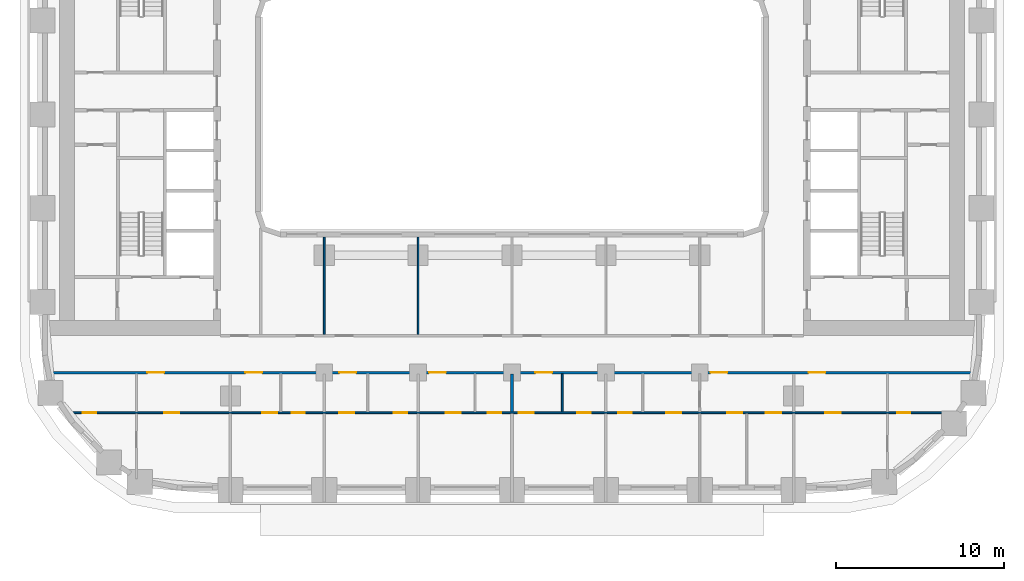
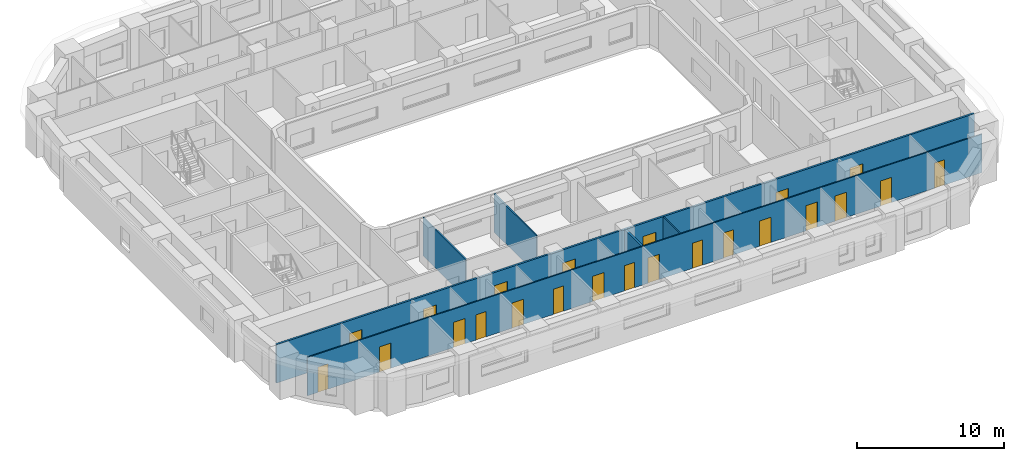
# One storey, part 3 of 20: 23 doors, 6 walls, 23 openings.
"""IFC4 building model written with IfcOpenShell, lengths in metres."""

from ifc_helpers import new_model, si_unit, direction, frame, frame_2d, origin, place, context, subcontext, project, spatial, rectangle, extrude, material, layer, layer_set, type_object, element, fill, save


model = new_model("IFC4")

# Units and contexts
model_context = context("Model", 3, precision=1e-05, world=origin(), true_north=direction((0.0, 1.0)))
body_context = subcontext(model_context, "Body", "Model", "MODEL_VIEW")
ifc_project = project(units=[si_unit("LENGTHUNIT", "METRE"), si_unit("AREAUNIT", "SQUARE_METRE"), si_unit("VOLUMEUNIT", "CUBIC_METRE"), si_unit("PLANEANGLEUNIT", "RADIAN"), si_unit("MASSUNIT", "GRAM", prefix="KILO")], contexts=[model_context])

# Site, building, storey
site_placement = place(None, origin())
site = spatial("IfcSite", under=ifc_project, at=site_placement, CompositionType="ELEMENT")
building_placement = place(site_placement, origin())
building = spatial("IfcBuilding", under=site, at=building_placement, Name="Kiln Ring Residences", CompositionType="ELEMENT")
storey_placement = place(building_placement, frame((0.0, 0.0, 37.5)))
storey = spatial("IfcBuildingStorey", under=building, at=storey_placement, Name="L08", CompositionType="ELEMENT", Elevation=37.5)

# Wall, openings, doors
ifc_material_1 = material(Name="Gypsum board on steel studs", Category="steel")
ifc_layer_1 = layer(ifc_material_1, 0.10009765625)
ifc_layer_set_1 = layer_set([ifc_layer_1], Name="PARTITION-100")
wall_type_1 = type_object("IfcWallType", Name="PARTITION-100", PredefinedType="PARTITIONING", material=ifc_layer_set_1)
wall_1_placement = place(storey_placement, frame((-26.39404296875, -17.800048828125, 0.0), z_axis=(0.0, 0.0, 1.0), x_axis=(1.0, 0.0, 0.0)))
wall_1 = element("IfcWall", 1, at=wall_1_placement, inside=storey, type_object=wall_type_1, Name="Partition 000", PredefinedType="PARTITIONING", context=body_context, shape_type="SweptSolid", body=[
    extrude(rectangle(XDim=53.126220703125, YDim=0.10009765625, at=frame_2d((26.56298828125, 0.0))), origin(), (0.0, 0.0, 1.0), 3.199951171875),
])
opening_1_placement = place(wall_1_placement, frame((0.7939453125, 0.0, 0.0)))
opening_1 = element("IfcOpeningElement", 2, at=opening_1_placement, cuts=wall_1, Name="Opening L08-D044", PredefinedType="OPENING", context=body_context, shape_type="SweptSolid", body=[
    extrude(rectangle(XDim=0.800048828125, YDim=2.10009765625, at=frame_2d((0.39990234375, 1.050048828125))), frame((0.0, 0.06005859375, 0.0), z_axis=(0.0, -1.0, 0.0), x_axis=(1.0, 0.0, 0.0)), (0.0, 0.0, 1.0), 0.1201171875),
])
opening_2_placement = place(wall_1_placement, frame((5.64404296875, 0.0, 0.0)))
opening_2 = element("IfcOpeningElement", 3, at=opening_2_placement, cuts=wall_1, Name="Opening L08-D045", PredefinedType="OPENING", context=body_context, shape_type="SweptSolid", body=[
    extrude(rectangle(XDim=0.89990234375, YDim=2.10009765625, at=frame_2d((0.449951171875, 1.050048828125))), frame((0.0, 0.06005859375, 0.0), z_axis=(0.0, -1.0, 0.0), x_axis=(1.0, 0.0, 0.0)), (0.0, 0.0, 1.0), 0.1201171875),
])
opening_3_placement = place(wall_1_placement, frame((13.243896484375, 0.0, 0.0)))
opening_3 = element("IfcOpeningElement", 4, at=opening_3_placement, cuts=wall_1, Name="Opening L08-D048", PredefinedType="OPENING", context=body_context, shape_type="SweptSolid", body=[
    extrude(rectangle(XDim=0.800048828125, YDim=2.10009765625, at=frame_2d((0.39990234375, 1.050048828125))), frame((0.0, 0.06005859375, 0.0), z_axis=(0.0, -1.0, 0.0), x_axis=(1.0, 0.0, 0.0)), (0.0, 0.0, 1.0), 0.1201171875),
])
opening_4_placement = place(wall_1_placement, frame((11.493896484375, 0.0, 0.0)))
opening_4 = element("IfcOpeningElement", 5, at=opening_4_placement, cuts=wall_1, Name="Opening L08-D049", PredefinedType="OPENING", context=body_context, shape_type="SweptSolid", body=[
    extrude(rectangle(XDim=0.89990234375, YDim=2.10009765625, at=frame_2d((0.449951171875, 1.050048828125))), frame((0.0, 0.06005859375, 0.0), z_axis=(0.0, -1.0, 0.0), x_axis=(1.0, 0.0, 0.0)), (0.0, 0.0, 1.0), 0.1201171875),
])
opening_5_placement = place(wall_1_placement, frame((19.343994140625, 0.0, 0.0)))
opening_5 = element("IfcOpeningElement", 6, at=opening_5_placement, cuts=wall_1, Name="Opening L08-D051", PredefinedType="OPENING", context=body_context, shape_type="SweptSolid", body=[
    extrude(rectangle(XDim=0.800048828125, YDim=2.10009765625, at=frame_2d((0.39990234375, 1.050048828125))), frame((0.0, 0.06005859375, 0.0), z_axis=(0.0, -1.0, 0.0), x_axis=(1.0, 0.0, 0.0)), (0.0, 0.0, 1.0), 0.1201171875),
])
opening_6_placement = place(wall_1_placement, frame((16.093994140625, 0.0, 0.0)))
opening_6 = element("IfcOpeningElement", 7, at=opening_6_placement, cuts=wall_1, Name="Opening L08-D052", PredefinedType="OPENING", context=body_context, shape_type="SweptSolid", body=[
    extrude(rectangle(XDim=0.89990234375, YDim=2.10009765625, at=frame_2d((0.449951171875, 1.050048828125))), frame((0.0, 0.06005859375, 0.0), z_axis=(0.0, -1.0, 0.0), x_axis=(1.0, 0.0, 0.0)), (0.0, 0.0, 1.0), 0.1201171875),
])
opening_7_placement = place(wall_1_placement, frame((24.944091796875, 0.0, 0.0)))
opening_7 = element("IfcOpeningElement", 8, at=opening_7_placement, cuts=wall_1, Name="Opening L08-D054", PredefinedType="OPENING", context=body_context, shape_type="SweptSolid", body=[
    extrude(rectangle(XDim=0.800048828125, YDim=2.10009765625, at=frame_2d((0.39990234375, 1.050048828125))), frame((0.0, 0.06005859375, 0.0), z_axis=(0.0, -1.0, 0.0), x_axis=(1.0, 0.0, 0.0)), (0.0, 0.0, 1.0), 0.1201171875),
])
opening_8_placement = place(wall_1_placement, frame((22.444091796875, 0.0, 0.0)))
opening_8 = element("IfcOpeningElement", 9, at=opening_8_placement, cuts=wall_1, Name="Opening L08-D055", PredefinedType="OPENING", context=body_context, shape_type="SweptSolid", body=[
    extrude(rectangle(XDim=0.89990234375, YDim=2.10009765625, at=frame_2d((0.449951171875, 1.050048828125))), frame((0.0, 0.06005859375, 0.0), z_axis=(0.0, -1.0, 0.0), x_axis=(1.0, 0.0, 0.0)), (0.0, 0.0, 1.0), 0.1201171875),
])
opening_9_placement = place(wall_1_placement, frame((30.2939453125, 0.0, 0.0)))
opening_9 = element("IfcOpeningElement", 10, at=opening_9_placement, cuts=wall_1, Name="Opening L08-D057", PredefinedType="OPENING", context=body_context, shape_type="SweptSolid", body=[
    extrude(rectangle(XDim=0.800048828125, YDim=2.10009765625, at=frame_2d((0.39990234375, 1.050048828125))), frame((0.0, 0.06005859375, 0.0), z_axis=(0.0, -1.0, 0.0), x_axis=(1.0, 0.0, 0.0)), (0.0, 0.0, 1.0), 0.1201171875),
])
opening_10_placement = place(wall_1_placement, frame((26.7939453125, 0.0, 0.0)))
opening_10 = element("IfcOpeningElement", 11, at=opening_10_placement, cuts=wall_1, Name="Opening L08-D058", PredefinedType="OPENING", context=body_context, shape_type="SweptSolid", body=[
    extrude(rectangle(XDim=0.89990234375, YDim=2.10009765625, at=frame_2d((0.449951171875, 1.050048828125))), frame((0.0, 0.06005859375, 0.0), z_axis=(0.0, -1.0, 0.0), x_axis=(1.0, 0.0, 0.0)), (0.0, 0.0, 1.0), 0.1201171875),
])
opening_11_placement = place(wall_1_placement, frame((32.743896484375, 0.0, 0.0)))
opening_11 = element("IfcOpeningElement", 12, at=opening_11_placement, cuts=wall_1, Name="Opening L08-D061", PredefinedType="OPENING", context=body_context, shape_type="SweptSolid", body=[
    extrude(rectangle(XDim=0.800048828125, YDim=2.10009765625, at=frame_2d((0.39990234375, 1.050048828125))), frame((0.0, 0.06005859375, 0.0), z_axis=(0.0, -1.0, 0.0), x_axis=(1.0, 0.0, 0.0)), (0.0, 0.0, 1.0), 0.1201171875),
])
opening_12_placement = place(wall_1_placement, frame((35.593994140625, 0.0, 0.0)))
opening_12 = element("IfcOpeningElement", 13, at=opening_12_placement, cuts=wall_1, Name="Opening L08-D062", PredefinedType="OPENING", context=body_context, shape_type="SweptSolid", body=[
    extrude(rectangle(XDim=0.89990234375, YDim=2.10009765625, at=frame_2d((0.449951171875, 1.050048828125))), frame((0.0, 0.06005859375, 0.0), z_axis=(0.0, -1.0, 0.0), x_axis=(1.0, 0.0, 0.0)), (0.0, 0.0, 1.0), 0.1201171875),
])
opening_13_placement = place(wall_1_placement, frame((39.243896484375, 0.0, 0.0)))
opening_13 = element("IfcOpeningElement", 14, at=opening_13_placement, cuts=wall_1, Name="Opening L08-D063", PredefinedType="OPENING", context=body_context, shape_type="SweptSolid", body=[
    extrude(rectangle(XDim=0.89990234375, YDim=2.10009765625, at=frame_2d((0.449951171875, 1.050048828125))), frame((0.0, 0.06005859375, 0.0), z_axis=(0.0, -1.0, 0.0), x_axis=(1.0, 0.0, 0.0)), (0.0, 0.0, 1.0), 0.1201171875),
])
opening_14_placement = place(wall_1_placement, frame((41.5439453125, 0.0, 0.0)))
opening_14 = element("IfcOpeningElement", 15, at=opening_14_placement, cuts=wall_1, Name="Opening L08-D064", PredefinedType="OPENING", context=body_context, shape_type="SweptSolid", body=[
    extrude(rectangle(XDim=0.89990234375, YDim=2.10009765625, at=frame_2d((0.449951171875, 1.050048828125))), frame((0.0, 0.06005859375, 0.0), z_axis=(0.0, -1.0, 0.0), x_axis=(1.0, 0.0, 0.0)), (0.0, 0.0, 1.0), 0.1201171875),
])
opening_15_placement = place(wall_1_placement, frame((49.362060546875, 0.0, 0.0)))
opening_15 = element("IfcOpeningElement", 16, at=opening_15_placement, cuts=wall_1, Name="Opening L08-D066", PredefinedType="OPENING", context=body_context, shape_type="SweptSolid", body=[
    extrude(rectangle(XDim=0.800048828125, YDim=2.10009765625, at=frame_2d((0.39990234375, 1.050048828125))), frame((0.0, 0.06005859375, 0.0), z_axis=(0.0, -1.0, 0.0), x_axis=(1.0, 0.0, 0.0)), (0.0, 0.0, 1.0), 0.1201171875),
])
opening_16_placement = place(wall_1_placement, frame((45.093994140625, 0.0, 0.0)))
opening_16 = element("IfcOpeningElement", 17, at=opening_16_placement, cuts=wall_1, Name="Opening L08-D067", PredefinedType="OPENING", context=body_context, shape_type="SweptSolid", body=[
    extrude(rectangle(XDim=0.89990234375, YDim=2.10009765625, at=frame_2d((0.449951171875, 1.050048828125))), frame((0.0, 0.06005859375, 0.0), z_axis=(0.0, -1.0, 0.0), x_axis=(1.0, 0.0, 0.0)), (0.0, 0.0, 1.0), 0.1201171875),
])
ifc_material_2 = material(Name="Timber door leaf", Category="wood")
door_type_1 = type_object("IfcDoorType", Name="FLAT-DOOR-800-PL", OperationType="SINGLE_SWING_LEFT", PredefinedType="DOOR", material=ifc_material_2)
door_1_placement = place(opening_1_placement, origin())
door_1 = element("IfcDoor", 18, at=door_1_placement, inside=storey, type_object=door_type_1, Name="Door L08-D044", OperationType="SINGLE_SWING_RIGHT", OverallHeight=2.10009765625, OverallWidth=0.800048828125, PredefinedType="DOOR", context=body_context, shape_type="SweptSolid", body=[
    extrude(rectangle(XDim=0.800048828125, YDim=2.10009765625, at=frame_2d((0.39990234375, 1.050048828125))), frame((0.0, 0.02490234375, 0.0), z_axis=(0.0, -1.0, 0.0), x_axis=(1.0, 0.0, 0.0)), (0.0, 0.0, 1.0), 0.050048828125),
])
fill(opening_1, door_1)
door_2_placement = place(opening_3_placement, origin())
door_2 = element("IfcDoor", 19, at=door_2_placement, inside=storey, type_object=door_type_1, Name="Door L08-D048", OperationType="SINGLE_SWING_RIGHT", OverallHeight=2.10009765625, OverallWidth=0.800048828125, PredefinedType="DOOR", context=body_context, shape_type="SweptSolid", body=[
    extrude(rectangle(XDim=0.800048828125, YDim=2.10009765625, at=frame_2d((0.39990234375, 1.050048828125))), frame((0.0, 0.02490234375, 0.0), z_axis=(0.0, -1.0, 0.0), x_axis=(1.0, 0.0, 0.0)), (0.0, 0.0, 1.0), 0.050048828125),
])
fill(opening_3, door_2)
door_3_placement = place(opening_5_placement, origin())
door_3 = element("IfcDoor", 20, at=door_3_placement, inside=storey, type_object=door_type_1, Name="Door L08-D051", OperationType="SINGLE_SWING_LEFT", OverallHeight=2.10009765625, OverallWidth=0.800048828125, PredefinedType="DOOR", context=body_context, shape_type="SweptSolid", body=[
    extrude(rectangle(XDim=0.800048828125, YDim=2.10009765625, at=frame_2d((0.39990234375, 1.050048828125))), frame((0.0, 0.02490234375, 0.0), z_axis=(0.0, -1.0, 0.0), x_axis=(1.0, 0.0, 0.0)), (0.0, 0.0, 1.0), 0.050048828125),
])
fill(opening_5, door_3)
door_4_placement = place(opening_7_placement, origin())
door_4 = element("IfcDoor", 21, at=door_4_placement, inside=storey, type_object=door_type_1, Name="Door L08-D054", OperationType="SINGLE_SWING_RIGHT", OverallHeight=2.10009765625, OverallWidth=0.800048828125, PredefinedType="DOOR", context=body_context, shape_type="SweptSolid", body=[
    extrude(rectangle(XDim=0.800048828125, YDim=2.10009765625, at=frame_2d((0.39990234375, 1.050048828125))), frame((0.0, 0.02490234375, 0.0), z_axis=(0.0, -1.0, 0.0), x_axis=(1.0, 0.0, 0.0)), (0.0, 0.0, 1.0), 0.050048828125),
])
fill(opening_7, door_4)
door_5_placement = place(opening_9_placement, origin())
door_5 = element("IfcDoor", 22, at=door_5_placement, inside=storey, type_object=door_type_1, Name="Door L08-D057", OperationType="SINGLE_SWING_LEFT", OverallHeight=2.10009765625, OverallWidth=0.800048828125, PredefinedType="DOOR", context=body_context, shape_type="SweptSolid", body=[
    extrude(rectangle(XDim=0.800048828125, YDim=2.10009765625, at=frame_2d((0.39990234375, 1.050048828125))), frame((0.0, 0.02490234375, 0.0), z_axis=(0.0, -1.0, 0.0), x_axis=(1.0, 0.0, 0.0)), (0.0, 0.0, 1.0), 0.050048828125),
])
fill(opening_9, door_5)
door_6_placement = place(opening_11_placement, origin())
door_6 = element("IfcDoor", 23, at=door_6_placement, inside=storey, type_object=door_type_1, Name="Door L08-D061", OperationType="SINGLE_SWING_LEFT", OverallHeight=2.10009765625, OverallWidth=0.800048828125, PredefinedType="DOOR", context=body_context, shape_type="SweptSolid", body=[
    extrude(rectangle(XDim=0.800048828125, YDim=2.10009765625, at=frame_2d((0.39990234375, 1.050048828125))), frame((0.0, 0.02490234375, 0.0), z_axis=(0.0, -1.0, 0.0), x_axis=(1.0, 0.0, 0.0)), (0.0, 0.0, 1.0), 0.050048828125),
])
fill(opening_11, door_6)
door_7_placement = place(opening_15_placement, origin())
door_7 = element("IfcDoor", 24, at=door_7_placement, inside=storey, type_object=door_type_1, Name="Door L08-D066", OperationType="SINGLE_SWING_RIGHT", OverallHeight=2.10009765625, OverallWidth=0.800048828125, PredefinedType="DOOR", context=body_context, shape_type="SweptSolid", body=[
    extrude(rectangle(XDim=0.800048828125, YDim=2.10009765625, at=frame_2d((0.39990234375, 1.050048828125))), frame((0.0, 0.02490234375, 0.0), z_axis=(0.0, -1.0, 0.0), x_axis=(1.0, 0.0, 0.0)), (0.0, 0.0, 1.0), 0.050048828125),
])
fill(opening_15, door_7)
ifc_material_3 = material(Name="Timber door leaf", Category="wood")
door_type_2 = type_object("IfcDoorType", Name="FLAT-DOOR-900-PL", OperationType="SINGLE_SWING_LEFT", PredefinedType="DOOR", material=ifc_material_3)
door_8_placement = place(opening_2_placement, origin())
door_8 = element("IfcDoor", 25, at=door_8_placement, inside=storey, type_object=door_type_2, Name="Door L08-D045", OperationType="SINGLE_SWING_LEFT", OverallHeight=2.10009765625, OverallWidth=0.89990234375, PredefinedType="DOOR", context=body_context, shape_type="SweptSolid", body=[
    extrude(rectangle(XDim=0.89990234375, YDim=2.10009765625, at=frame_2d((0.449951171875, 1.050048828125))), frame((0.0, 0.02490234375, 0.0), z_axis=(0.0, -1.0, 0.0), x_axis=(1.0, 0.0, 0.0)), (0.0, 0.0, 1.0), 0.050048828125),
])
fill(opening_2, door_8)
door_9_placement = place(opening_4_placement, origin())
door_9 = element("IfcDoor", 26, at=door_9_placement, inside=storey, type_object=door_type_2, Name="Door L08-D049", OperationType="SINGLE_SWING_RIGHT", OverallHeight=2.10009765625, OverallWidth=0.89990234375, PredefinedType="DOOR", context=body_context, shape_type="SweptSolid", body=[
    extrude(rectangle(XDim=0.89990234375, YDim=2.10009765625, at=frame_2d((0.449951171875, 1.050048828125))), frame((0.0, 0.02490234375, 0.0), z_axis=(0.0, -1.0, 0.0), x_axis=(1.0, 0.0, 0.0)), (0.0, 0.0, 1.0), 0.050048828125),
])
fill(opening_4, door_9)
door_10_placement = place(opening_6_placement, origin())
door_10 = element("IfcDoor", 27, at=door_10_placement, inside=storey, type_object=door_type_2, Name="Door L08-D052", OperationType="SINGLE_SWING_RIGHT", OverallHeight=2.10009765625, OverallWidth=0.89990234375, PredefinedType="DOOR", context=body_context, shape_type="SweptSolid", body=[
    extrude(rectangle(XDim=0.89990234375, YDim=2.10009765625, at=frame_2d((0.449951171875, 1.050048828125))), frame((0.0, 0.02490234375, 0.0), z_axis=(0.0, -1.0, 0.0), x_axis=(1.0, 0.0, 0.0)), (0.0, 0.0, 1.0), 0.050048828125),
])
fill(opening_6, door_10)
door_11_placement = place(opening_8_placement, origin())
door_11 = element("IfcDoor", 28, at=door_11_placement, inside=storey, type_object=door_type_2, Name="Door L08-D055", OperationType="SINGLE_SWING_RIGHT", OverallHeight=2.10009765625, OverallWidth=0.89990234375, PredefinedType="DOOR", context=body_context, shape_type="SweptSolid", body=[
    extrude(rectangle(XDim=0.89990234375, YDim=2.10009765625, at=frame_2d((0.449951171875, 1.050048828125))), frame((0.0, 0.02490234375, 0.0), z_axis=(0.0, -1.0, 0.0), x_axis=(1.0, 0.0, 0.0)), (0.0, 0.0, 1.0), 0.050048828125),
])
fill(opening_8, door_11)
door_12_placement = place(opening_10_placement, origin())
door_12 = element("IfcDoor", 29, at=door_12_placement, inside=storey, type_object=door_type_2, Name="Door L08-D058", OperationType="SINGLE_SWING_LEFT", OverallHeight=2.10009765625, OverallWidth=0.89990234375, PredefinedType="DOOR", context=body_context, shape_type="SweptSolid", body=[
    extrude(rectangle(XDim=0.89990234375, YDim=2.10009765625, at=frame_2d((0.449951171875, 1.050048828125))), frame((0.0, 0.02490234375, 0.0), z_axis=(0.0, -1.0, 0.0), x_axis=(1.0, 0.0, 0.0)), (0.0, 0.0, 1.0), 0.050048828125),
])
fill(opening_10, door_12)
door_13_placement = place(opening_12_placement, origin())
door_13 = element("IfcDoor", 30, at=door_13_placement, inside=storey, type_object=door_type_2, Name="Door L08-D062", OperationType="SINGLE_SWING_RIGHT", OverallHeight=2.10009765625, OverallWidth=0.89990234375, PredefinedType="DOOR", context=body_context, shape_type="SweptSolid", body=[
    extrude(rectangle(XDim=0.89990234375, YDim=2.10009765625, at=frame_2d((0.449951171875, 1.050048828125))), frame((0.0, 0.02490234375, 0.0), z_axis=(0.0, -1.0, 0.0), x_axis=(1.0, 0.0, 0.0)), (0.0, 0.0, 1.0), 0.050048828125),
])
fill(opening_12, door_13)
door_14_placement = place(opening_13_placement, origin())
door_14 = element("IfcDoor", 31, at=door_14_placement, inside=storey, type_object=door_type_2, Name="Door L08-D063", OperationType="SINGLE_SWING_RIGHT", OverallHeight=2.10009765625, OverallWidth=0.89990234375, PredefinedType="DOOR", context=body_context, shape_type="SweptSolid", body=[
    extrude(rectangle(XDim=0.89990234375, YDim=2.10009765625, at=frame_2d((0.449951171875, 1.050048828125))), frame((0.0, 0.02490234375, 0.0), z_axis=(0.0, -1.0, 0.0), x_axis=(1.0, 0.0, 0.0)), (0.0, 0.0, 1.0), 0.050048828125),
])
fill(opening_13, door_14)
door_15_placement = place(opening_14_placement, origin())
door_15 = element("IfcDoor", 32, at=door_15_placement, inside=storey, type_object=door_type_2, Name="Door L08-D064", OperationType="SINGLE_SWING_RIGHT", OverallHeight=2.10009765625, OverallWidth=0.89990234375, PredefinedType="DOOR", context=body_context, shape_type="SweptSolid", body=[
    extrude(rectangle(XDim=0.89990234375, YDim=2.10009765625, at=frame_2d((0.449951171875, 1.050048828125))), frame((0.0, 0.02490234375, 0.0), z_axis=(0.0, -1.0, 0.0), x_axis=(1.0, 0.0, 0.0)), (0.0, 0.0, 1.0), 0.050048828125),
])
fill(opening_14, door_15)
door_16_placement = place(opening_16_placement, origin())
door_16 = element("IfcDoor", 33, at=door_16_placement, inside=storey, type_object=door_type_2, Name="Door L08-D067", OperationType="SINGLE_SWING_LEFT", OverallHeight=2.10009765625, OverallWidth=0.89990234375, PredefinedType="DOOR", context=body_context, shape_type="SweptSolid", body=[
    extrude(rectangle(XDim=0.89990234375, YDim=2.10009765625, at=frame_2d((0.449951171875, 1.050048828125))), frame((0.0, 0.02490234375, 0.0), z_axis=(0.0, -1.0, 0.0), x_axis=(1.0, 0.0, 0.0)), (0.0, 0.0, 1.0), 0.050048828125),
])
fill(opening_16, door_16)

# Walls
for number, where, z_axis, x_axis, name in (
    (34, (-11.199951171875, -13.125, 0.0), (0.0, 0.0, 1.0), (0.0, 1.0, 0.0), "Partition 018"),
    (35, (-5.60009765625, -13.125, 0.0), (0.0, 0.0, 1.0), (0.0, 1.0, 0.0), "Partition 026"),
):
    element("IfcWall", number, at=place(storey_placement, frame(where, z_axis=z_axis, x_axis=x_axis)), inside=storey, type_object=wall_type_1, Name=name, PredefinedType="PARTITIONING", context=body_context, shape_type="SweptSolid", body=[
        extrude(rectangle(XDim=5.804931640625, YDim=0.10009765625, at=frame_2d((2.90234375, 0.0))), origin(), (0.0, 0.0, 1.0), 3.199951171875),
    ])
wall_2_placement = place(storey_placement, frame((3.0, -17.75, 0.0), z_axis=(0.0, 0.0, 1.0), x_axis=(0.0, 1.0, 0.0)))
element("IfcWall", 36, at=wall_2_placement, inside=storey, type_object=wall_type_1, Name="Partition 041", PredefinedType="PARTITIONING", context=body_context, shape_type="SweptSolid", body=[
    extrude(rectangle(XDim=2.27490234375, YDim=0.10009765625, at=frame_2d((1.137451171875, 0.0))), origin(), (0.0, 0.0, 1.0), 3.199951171875),
])

# Wall, openings, doors
ifc_material_4 = material(Name="Brick masonry partition", Category="masonry")
ifc_layer_2 = layer(ifc_material_4, 0.14990234375)
ifc_layer_set_2 = layer_set([ifc_layer_2], Name="PARTITION-150-ei60")
wall_type_2 = type_object("IfcWallType", Name="PARTITION-150-ei60", PredefinedType="PARTITIONING", material=ifc_layer_set_2)
wall_3_placement = place(storey_placement, frame((-27.48388671875, -15.39990234375, 0.0), z_axis=(0.0, 0.0, 1.0), x_axis=(1.0, 0.0, 0.0)))
wall_3 = element("IfcWall", 37, at=wall_3_placement, inside=storey, type_object=wall_type_2, Name="Partition 001", PredefinedType="PARTITIONING", context=body_context, shape_type="SweptSolid", body=[
    extrude(rectangle(XDim=54.9677734375, YDim=0.14990234375, at=frame_2d((27.48388671875, 0.0))), origin(), (0.0, 0.0, 1.0), 3.199951171875),
])
opening_17_placement = place(wall_3_placement, frame((5.73388671875, 0.0, 0.0)))
opening_17 = element("IfcOpeningElement", 38, at=opening_17_placement, cuts=wall_3, Name="Opening L08-D043", PredefinedType="OPENING", context=body_context, shape_type="SweptSolid", body=[
    extrude(rectangle(XDim=1.0, YDim=2.10009765625, at=frame_2d((0.5, 1.050048828125))), frame((0.0, 0.0849609375, 0.0), z_axis=(0.0, -1.0, 0.0), x_axis=(1.0, 0.0, 0.0)), (0.0, 0.0, 1.0), 0.169921875),
])
opening_18_placement = place(wall_3_placement, frame((11.583740234375, 0.0, 0.0)))
opening_18 = element("IfcOpeningElement", 39, at=opening_18_placement, cuts=wall_3, Name="Opening L08-D047", PredefinedType="OPENING", context=body_context, shape_type="SweptSolid", body=[
    extrude(rectangle(XDim=1.0, YDim=2.10009765625, at=frame_2d((0.5, 1.050048828125))), frame((0.0, 0.0849609375, 0.0), z_axis=(0.0, -1.0, 0.0), x_axis=(1.0, 0.0, 0.0)), (0.0, 0.0, 1.0), 0.169921875),
])
opening_19_placement = place(wall_3_placement, frame((17.183837890625, 0.0, 0.0)))
opening_19 = element("IfcOpeningElement", 40, at=opening_19_placement, cuts=wall_3, Name="Opening L08-D050", PredefinedType="OPENING", context=body_context, shape_type="SweptSolid", body=[
    extrude(rectangle(XDim=1.0, YDim=2.10009765625, at=frame_2d((0.5, 1.050048828125))), frame((0.0, 0.0849609375, 0.0), z_axis=(0.0, -1.0, 0.0), x_axis=(1.0, 0.0, 0.0)), (0.0, 0.0, 1.0), 0.169921875),
])
opening_20_placement = place(wall_3_placement, frame((22.53369140625, 0.0, 0.0)))
opening_20 = element("IfcOpeningElement", 41, at=opening_20_placement, cuts=wall_3, Name="Opening L08-D053", PredefinedType="OPENING", context=body_context, shape_type="SweptSolid", body=[
    extrude(rectangle(XDim=1.0, YDim=2.10009765625, at=frame_2d((0.5, 1.050048828125))), frame((0.0, 0.0849609375, 0.0), z_axis=(0.0, -1.0, 0.0), x_axis=(1.0, 0.0, 0.0)), (0.0, 0.0, 1.0), 0.169921875),
])
opening_21_placement = place(wall_3_placement, frame((28.8837890625, 0.0, 0.0)))
opening_21 = element("IfcOpeningElement", 42, at=opening_21_placement, cuts=wall_3, Name="Opening L08-D056", PredefinedType="OPENING", context=body_context, shape_type="SweptSolid", body=[
    extrude(rectangle(XDim=1.0, YDim=2.10009765625, at=frame_2d((0.5, 1.050048828125))), frame((0.0, 0.0849609375, 0.0), z_axis=(0.0, -1.0, 0.0), x_axis=(1.0, 0.0, 0.0)), (0.0, 0.0, 1.0), 0.169921875),
])
opening_22_placement = place(wall_3_placement, frame((39.333740234375, 0.0, 0.0)))
opening_22 = element("IfcOpeningElement", 43, at=opening_22_placement, cuts=wall_3, Name="Opening L08-D059", PredefinedType="OPENING", context=body_context, shape_type="SweptSolid", body=[
    extrude(rectangle(XDim=1.0, YDim=2.10009765625, at=frame_2d((0.5, 1.050048828125))), frame((0.0, 0.0849609375, 0.0), z_axis=(0.0, -1.0, 0.0), x_axis=(1.0, 0.0, 0.0)), (0.0, 0.0, 1.0), 0.169921875),
])
opening_23_placement = place(wall_3_placement, frame((45.183837890625, 0.0, 0.0)))
opening_23 = element("IfcOpeningElement", 44, at=opening_23_placement, cuts=wall_3, Name="Opening L08-D065", PredefinedType="OPENING", context=body_context, shape_type="SweptSolid", body=[
    extrude(rectangle(XDim=1.0, YDim=2.10009765625, at=frame_2d((0.5, 1.050048828125))), frame((0.0, 0.0849609375, 0.0), z_axis=(0.0, -1.0, 0.0), x_axis=(1.0, 0.0, 0.0)), (0.0, 0.0, 1.0), 0.169921875),
])
ifc_material_5 = material(Name="Steel faced fire door leaf", Category="steel")
door_type_3 = type_object("IfcDoorType", Name="FLAT-DOOR-1000-FR", OperationType="SINGLE_SWING_LEFT", PredefinedType="DOOR", material=ifc_material_5)
door_17_placement = place(opening_17_placement, origin())
door_17 = element("IfcDoor", 45, at=door_17_placement, inside=storey, type_object=door_type_3, Name="Door L08-D043", OperationType="SINGLE_SWING_LEFT", OverallHeight=2.10009765625, OverallWidth=1.0, PredefinedType="DOOR", context=body_context, shape_type="SweptSolid", body=[
    extrude(rectangle(XDim=1.0, YDim=2.10009765625, at=frame_2d((0.5, 1.050048828125))), frame((0.0, 0.02490234375, 0.0), z_axis=(0.0, -1.0, 0.0), x_axis=(1.0, 0.0, 0.0)), (0.0, 0.0, 1.0), 0.050048828125),
])
fill(opening_17, door_17)
door_18_placement = place(opening_18_placement, origin())
door_18 = element("IfcDoor", 46, at=door_18_placement, inside=storey, type_object=door_type_3, Name="Door L08-D047", OperationType="SINGLE_SWING_LEFT", OverallHeight=2.10009765625, OverallWidth=1.0, PredefinedType="DOOR", context=body_context, shape_type="SweptSolid", body=[
    extrude(rectangle(XDim=1.0, YDim=2.10009765625, at=frame_2d((0.5, 1.050048828125))), frame((0.0, 0.02490234375, 0.0), z_axis=(0.0, -1.0, 0.0), x_axis=(1.0, 0.0, 0.0)), (0.0, 0.0, 1.0), 0.050048828125),
])
fill(opening_18, door_18)
door_19_placement = place(opening_19_placement, origin())
door_19 = element("IfcDoor", 47, at=door_19_placement, inside=storey, type_object=door_type_3, Name="Door L08-D050", OperationType="SINGLE_SWING_RIGHT", OverallHeight=2.10009765625, OverallWidth=1.0, PredefinedType="DOOR", context=body_context, shape_type="SweptSolid", body=[
    extrude(rectangle(XDim=1.0, YDim=2.10009765625, at=frame_2d((0.5, 1.050048828125))), frame((0.0, 0.02490234375, 0.0), z_axis=(0.0, -1.0, 0.0), x_axis=(1.0, 0.0, 0.0)), (0.0, 0.0, 1.0), 0.050048828125),
])
fill(opening_19, door_19)
door_20_placement = place(opening_20_placement, origin())
door_20 = element("IfcDoor", 48, at=door_20_placement, inside=storey, type_object=door_type_3, Name="Door L08-D053", OperationType="SINGLE_SWING_LEFT", OverallHeight=2.10009765625, OverallWidth=1.0, PredefinedType="DOOR", context=body_context, shape_type="SweptSolid", body=[
    extrude(rectangle(XDim=1.0, YDim=2.10009765625, at=frame_2d((0.5, 1.050048828125))), frame((0.0, 0.02490234375, 0.0), z_axis=(0.0, -1.0, 0.0), x_axis=(1.0, 0.0, 0.0)), (0.0, 0.0, 1.0), 0.050048828125),
])
fill(opening_20, door_20)
door_21_placement = place(opening_21_placement, origin())
door_21 = element("IfcDoor", 49, at=door_21_placement, inside=storey, type_object=door_type_3, Name="Door L08-D056", OperationType="SINGLE_SWING_RIGHT", OverallHeight=2.10009765625, OverallWidth=1.0, PredefinedType="DOOR", context=body_context, shape_type="SweptSolid", body=[
    extrude(rectangle(XDim=1.0, YDim=2.10009765625, at=frame_2d((0.5, 1.050048828125))), frame((0.0, 0.02490234375, 0.0), z_axis=(0.0, -1.0, 0.0), x_axis=(1.0, 0.0, 0.0)), (0.0, 0.0, 1.0), 0.050048828125),
])
fill(opening_21, door_21)
door_22_placement = place(opening_22_placement, origin())
door_22 = element("IfcDoor", 50, at=door_22_placement, inside=storey, type_object=door_type_3, Name="Door L08-D059", OperationType="SINGLE_SWING_LEFT", OverallHeight=2.10009765625, OverallWidth=1.0, PredefinedType="DOOR", context=body_context, shape_type="SweptSolid", body=[
    extrude(rectangle(XDim=1.0, YDim=2.10009765625, at=frame_2d((0.5, 1.050048828125))), frame((0.0, 0.02490234375, 0.0), z_axis=(0.0, -1.0, 0.0), x_axis=(1.0, 0.0, 0.0)), (0.0, 0.0, 1.0), 0.050048828125),
])
fill(opening_22, door_22)
door_23_placement = place(opening_23_placement, origin())
door_23 = element("IfcDoor", 51, at=door_23_placement, inside=storey, type_object=door_type_3, Name="Door L08-D065", OperationType="SINGLE_SWING_LEFT", OverallHeight=2.10009765625, OverallWidth=1.0, PredefinedType="DOOR", context=body_context, shape_type="SweptSolid", body=[
    extrude(rectangle(XDim=1.0, YDim=2.10009765625, at=frame_2d((0.5, 1.050048828125))), frame((0.0, 0.02490234375, 0.0), z_axis=(0.0, -1.0, 0.0), x_axis=(1.0, 0.0, 0.0)), (0.0, 0.0, 1.0), 0.050048828125),
])
fill(opening_23, door_23)

# Wall
wall_4_placement = place(storey_placement, frame((0.0, -17.75, 0.0), z_axis=(0.0, 0.0, 1.0), x_axis=(0.0, 1.0, 0.0)))
element("IfcWall", 52, at=wall_4_placement, inside=storey, type_object=wall_type_2, Name="Partition 037", PredefinedType="PARTITIONING", context=body_context, shape_type="SweptSolid", body=[
    extrude(rectangle(XDim=2.27490234375, YDim=0.14990234375, at=frame_2d((1.137451171875, 0.0))), origin(), (0.0, 0.0, 1.0), 3.199951171875),
])

save(model, "model.ifc")
